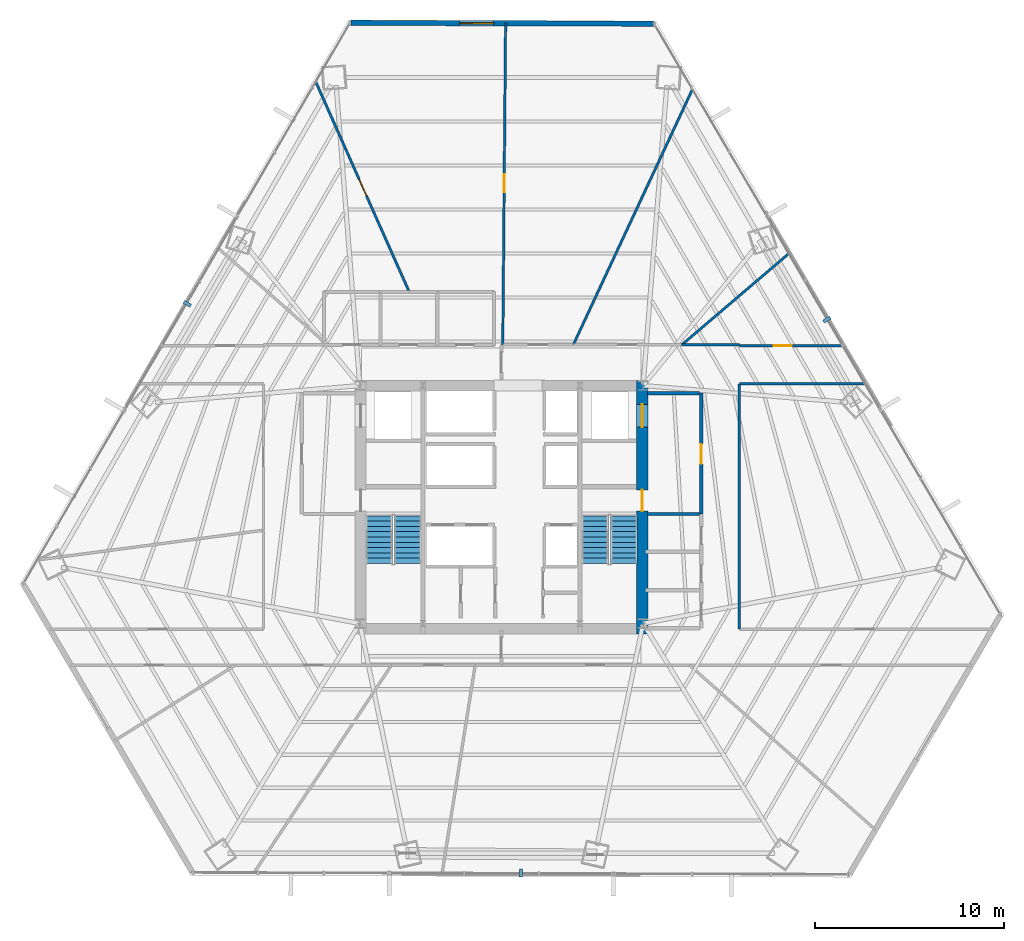
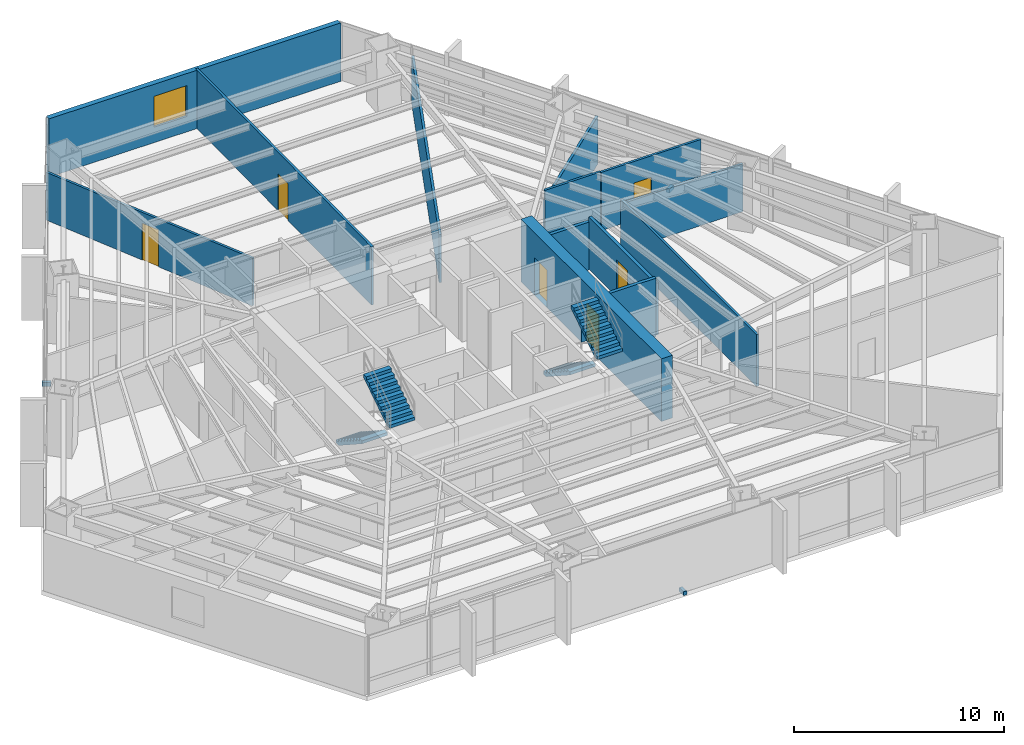
# One storey, part 34 of 37: 13 walls, 6 doors, 4 stair flights, 3 discrete accessories, 1 window, 7 openings, 2 elements without a shape of their own.
"""IFC4 building model written with IfcOpenShell, lengths in metres."""

from ifc_helpers import new_model, si_unit, direction, frame, frame_2d, origin, origin_2d, place, context, subcontext, project, spatial, polyline, rectangle, outline, extrude, source, transform, mapped, material, layer, layer_set, type_object, type_shapes, element, fill, aggregate, save


model = new_model("IFC4")

# Units and contexts
model_context = context("Model", 3, precision=1e-05, world=origin(), true_north=direction((0.0, 1.0)))
body_context = subcontext(model_context, "Body", "Model", "MODEL_VIEW")
ifc_project = project(units=[si_unit("LENGTHUNIT", "METRE"), si_unit("AREAUNIT", "SQUARE_METRE"), si_unit("VOLUMEUNIT", "CUBIC_METRE"), si_unit("PLANEANGLEUNIT", "RADIAN"), si_unit("MASSUNIT", "GRAM", prefix="KILO")], contexts=[model_context])

# Site, building, storey
site_placement = place(None, origin())
site = spatial("IfcSite", under=ifc_project, at=site_placement, CompositionType="ELEMENT")
building_placement = place(site_placement, origin())
building = spatial("IfcBuilding", under=site, at=building_placement, Name="Caelisora Broadcast Tower", CompositionType="ELEMENT")
storey_placement = place(building_placement, frame((0.0, 0.0, 45.85009765625)))
storey = spatial("IfcBuildingStorey", under=building, at=storey_placement, Name="L11", CompositionType="ELEMENT", Elevation=45.85009765625)

# Wall, openings, doors
ifc_material_1 = material(Name="Concrete 65 MPa (AS 3600 S65)", Category="concrete")
ifc_layer_1 = layer(ifc_material_1, 0.60009765625, Name="Concrete 65 MPa (AS 3600 S65)")
ifc_layer_set_1 = layer_set([ifc_layer_1], Name="Concrete 65 MPa (AS 3600 S65)")
wall_type_1 = type_object("IfcWallType", Name="CW1", PredefinedType="SHEAR", material=ifc_layer_set_1)
wall_1_placement = place(storey_placement, frame((45.4599609375, 16.85009765625, 0.0), z_axis=(0.0, 0.0, 1.0), x_axis=(0.0, 1.0, 0.0)))
wall_1 = element("IfcWall", 1, at=wall_1_placement, inside=storey, type_object=wall_type_1, Name="L11 core shear wall CW1", PredefinedType="SHEAR", context=body_context, shape_type="SweptSolid", body=[
    extrude(rectangle(XDim=13.4248046875, YDim=0.60009765625, at=frame_2d((6.71240234375, 0.0))), origin(), (0.0, 0.0, 1.0), 3.64990234375),
])
opening_1_placement = place(wall_1_placement, frame((6.5, 0.0, 0.0)))
opening_1 = element("IfcOpeningElement", 2, at=opening_1_placement, cuts=wall_1, Name="Opening FD04", PredefinedType="OPENING", context=body_context, shape_type="SweptSolid", body=[
    extrude(rectangle(XDim=1.1201171875, YDim=2.14990234375, at=frame_2d((0.56005859375, 1.074951171875))), frame((0.0, 0.31201171875, 0.0), z_axis=(0.0, -1.0, 0.0), x_axis=(1.0, 0.0, 0.0)), (0.0, 0.0, 1.0), 0.6240234375),
])
opening_2_placement = place(wall_1_placement, frame((10.949951171875, 0.0, 0.0)))
opening_2 = element("IfcOpeningElement", 3, at=opening_2_placement, cuts=wall_1, Name="Opening LD04", PredefinedType="OPENING", context=body_context, shape_type="SweptSolid", body=[
    extrude(rectangle(XDim=1.199951171875, YDim=2.199951171875, at=frame_2d((0.60009765625, 1.10009765625))), frame((0.0, 0.31201171875, 0.0), z_axis=(0.0, -1.0, 0.0), x_axis=(1.0, 0.0, 0.0)), (0.0, 0.0, 1.0), 0.6240234375),
])
ifc_material_2 = material(Name="Pressurised Fire-Isolated Stair Door", Category="steel")
door_type_1 = type_object("IfcDoorType", Name="FD04", OperationType="NOTDEFINED", PredefinedType="DOOR", material=ifc_material_2)
door_1_placement = place(opening_1_placement, origin())
door_1 = element("IfcDoor", 4, at=door_1_placement, inside=storey, type_object=door_type_1, Name="L11 door FD04 (L11-DR-ST2)", OperationType="SINGLE_SWING_RIGHT", OverallHeight=2.14990234375, OverallWidth=1.1201171875, PredefinedType="DOOR", context=body_context, shape_type="SweptSolid", body=[
    extrude(rectangle(XDim=1.1201171875, YDim=2.14990234375, at=frame_2d((0.56005859375, 1.074951171875))), frame((0.0, 0.02490234375, 0.0), z_axis=(0.0, -1.0, 0.0), x_axis=(1.0, 0.0, 0.0)), (0.0, 0.0, 1.0), 0.050048828125),
])
fill(opening_1, door_1)
ifc_material_3 = material(Name="Emergency Firefighting Lift Sliding Landing Door", Category="steel")
door_type_2 = type_object("IfcDoorType", Name="LD04", OperationType="NOTDEFINED", PredefinedType="DOOR", material=ifc_material_3)
door_2_placement = place(opening_2_placement, origin())
door_2 = element("IfcDoor", 5, at=door_2_placement, inside=storey, type_object=door_type_2, Name="L11 door LD04 (L11-LD-FFL2)", OperationType="SLIDING_TO_RIGHT", OverallHeight=2.199951171875, OverallWidth=1.199951171875, PredefinedType="DOOR", context=body_context, shape_type="SweptSolid", body=[
    extrude(rectangle(XDim=1.199951171875, YDim=2.199951171875, at=frame_2d((0.60009765625, 1.10009765625))), frame((0.0, 0.02490234375, 0.0), z_axis=(0.0, -1.0, 0.0), x_axis=(1.0, 0.0, 0.0)), (0.0, 0.0, 1.0), 0.050048828125),
])
fill(opening_2, door_2)

# Wall, opening, window
ifc_material_4 = material(Name="Insulated Terracotta Spandrel Wall System", Category="masonry")
ifc_layer_2 = layer(ifc_material_4, 0.280029296875, Name="Insulated Terracotta Spandrel Wall System")
ifc_layer_set_2 = layer_set([ifc_layer_2], Name="Insulated Terracotta Spandrel Wall System")
wall_type_2 = type_object("IfcWallType", Name="EW1", PredefinedType="STANDARD", material=ifc_layer_set_2)
wall_2_placement = place(storey_placement, frame((30.02001953125, 49.206787109375, 0.0), z_axis=(0.0, 0.0, 1.0), x_axis=(0.999995948409, -0.002846606015, 0.0)))
wall_2 = element("IfcWall", 6, at=wall_2_placement, inside=storey, type_object=wall_type_2, Name="L11 exterior envelope wall EW1", PredefinedType="STANDARD", context=body_context, shape_type="SweptSolid", body=[
    extrude(rectangle(XDim=16.0380859375, YDim=0.280029296875, at=frame_2d((8.01904296875, 0.0))), origin(), (0.0, 0.0, 1.0), 3.39990234375),
])
opening_3_placement = place(wall_2_placement, frame((5.77001953125, 0.0, 0.89990234375)))
opening_3 = element("IfcOpeningElement", 7, at=opening_3_placement, cuts=wall_2, Name="Opening W01", PredefinedType="OPENING", context=body_context, shape_type="SweptSolid", body=[
    extrude(rectangle(XDim=1.800048828125, YDim=1.800048828125, at=frame_2d((0.89990234375, 0.89990234375))), frame((0.0, 0.152099609375, 0.0), z_axis=(0.0, -1.0, 0.0), x_axis=(1.0, 0.0, 0.0)), (0.0, 0.0, 1.0), 0.303955078125),
])
ifc_material_5 = material(Name="Double Glazed Terracotta-Framed Vision Window", Category="glass")
window_type = type_object("IfcWindowType", Name="W01", PartitioningType="SINGLE_PANEL", PredefinedType="WINDOW", material=ifc_material_5)
window_placement = place(opening_3_placement, origin())
window = element("IfcWindow", 8, at=window_placement, inside=storey, type_object=window_type, Name="L11 window W01 (L11-WN-CH8)", OverallHeight=1.800048828125, OverallWidth=1.800048828125, PartitioningType="SINGLE_PANEL", PredefinedType="WINDOW", context=body_context, shape_type="SweptSolid", body=[
    extrude(rectangle(XDim=1.800048828125, YDim=1.800048828125, at=frame_2d((0.89990234375, 0.89990234375))), frame((0.0, 0.030029296875, 0.0), z_axis=(0.0, -1.0, 0.0), x_axis=(1.0, 0.0, 0.0)), (0.0, 0.0, 1.0), 0.06005859375),
])
fill(opening_3, window)

# Wall, opening, door
ifc_material_6 = material(Name="Fire-Rated Gypsum Shaft and Compartment Wall", Category="gypsum")
ifc_layer_3 = layer(ifc_material_6, 0.179931640625, Name="Fire-Rated Gypsum Shaft and Compartment Wall")
ifc_layer_set_3 = layer_set([ifc_layer_3], Name="Fire-Rated Gypsum Shaft and Compartment Wall")
wall_type_3 = type_object("IfcWallType", Name="PW2", PredefinedType="PARTITIONING", material=ifc_layer_set_3)
wall_3_placement = place(storey_placement, frame((48.580078125, 23.199951171875, 0.0), z_axis=(0.0, 0.0, 1.0), x_axis=(0.0, 1.0, 0.0)))
wall_3 = element("IfcWall", 9, at=wall_3_placement, inside=storey, type_object=wall_type_3, Name="L11 fire compartment wall PW2", PredefinedType="PARTITIONING", context=body_context, shape_type="SweptSolid", body=[
    extrude(rectangle(XDim=6.400146484375, YDim=0.179931640625, at=frame_2d((3.2001953125, 0.0))), origin(), (0.0, 0.0, 1.0), 3.0263671875),
])
opening_4_placement = place(wall_3_placement, frame((2.64990234375, 0.0, 0.0)))
opening_4 = element("IfcOpeningElement", 10, at=opening_4_placement, cuts=wall_3, Name="Opening FD02", PredefinedType="OPENING", context=body_context, shape_type="SweptSolid", body=[
    extrude(rectangle(XDim=1.050048828125, YDim=2.14990234375, at=frame_2d((0.52490234375, 1.074951171875))), frame((0.0, 0.10205078125, 0.0), z_axis=(0.0, -1.0, 0.0), x_axis=(1.0, 0.0, 0.0)), (0.0, 0.0, 1.0), 0.203857421875),
])
ifc_material_7 = material(Name="Single-Leaf Steel Fire Lobby Door", Category="steel")
door_type_3 = type_object("IfcDoorType", Name="FD02", OperationType="NOTDEFINED", PredefinedType="DOOR", material=ifc_material_7)
door_3_placement = place(opening_4_placement, origin())
door_3 = element("IfcDoor", 11, at=door_3_placement, inside=storey, type_object=door_type_3, Name="L11 door FD02 (L11-DR-P04D1)", OperationType="SINGLE_SWING_RIGHT", OverallHeight=2.14990234375, OverallWidth=1.050048828125, PredefinedType="DOOR", context=body_context, shape_type="SweptSolid", body=[
    extrude(rectangle(XDim=1.050048828125, YDim=2.14990234375, at=frame_2d((0.52490234375, 1.074951171875))), frame((0.0, 0.02490234375, 0.0), z_axis=(0.0, -1.0, 0.0), x_axis=(1.0, 0.0, 0.0)), (0.0, 0.0, 1.0), 0.050048828125),
])
fill(opening_4, door_3)

# Walls
wall_4_placement = place(storey_placement, frame((45.719970703125, 23.199951171875, 0.0), z_axis=(0.0, 0.0, 1.0), x_axis=(1.0, 0.0, 0.0)))
element("IfcWall", 12, at=wall_4_placement, inside=storey, type_object=wall_type_3, Name="L11 fire compartment wall PW2", PredefinedType="PARTITIONING", context=body_context, shape_type="SweptSolid", body=[
    extrude(rectangle(XDim=2.760009765625, YDim=0.179931640625, at=frame_2d((1.3798828125, 0.0))), origin(), (0.0, 0.0, 1.0), 3.39990234375),
])
wall_5_placement = place(storey_placement, frame((45.719970703125, 29.60009765625, 0.0), z_axis=(0.0, 0.0, 1.0), x_axis=(1.0, 0.0, 0.0)))
element("IfcWall", 13, at=wall_5_placement, inside=storey, type_object=wall_type_3, Name="L11 fire compartment wall PW2", PredefinedType="PARTITIONING", context=body_context, shape_type="SweptSolid", body=[
    extrude(rectangle(XDim=2.760009765625, YDim=0.179931640625, at=frame_2d((1.3798828125, 0.0))), origin(), (0.0, 0.0, 1.0), 2.78271484375),
])

# Wall, opening, door
ifc_material_8 = material(Name="Acoustic Steel-Stud Plasterboard Partition", Category="gypsum")
ifc_layer_4 = layer(ifc_material_8, 0.1298828125, Name="Acoustic Steel-Stud Plasterboard Partition")
ifc_layer_set_4 = layer_set([ifc_layer_4], Name="Acoustic Steel-Stud Plasterboard Partition")
wall_type_4 = type_object("IfcWallType", Name="PW3", PredefinedType="PARTITIONING", material=ifc_layer_set_4)
wall_6_placement = place(storey_placement, frame((38.070068359375, 32.155029296875, 0.0), z_axis=(0.0, 0.0, 1.0), x_axis=(0.008757135283, 0.999961655556, 0.0)))
wall_6 = element("IfcWall", 14, at=wall_6_placement, inside=storey, type_object=wall_type_4, Name="L11 internal partition PW3", PredefinedType="PARTITIONING", context=body_context, shape_type="SweptSolid", body=[
    extrude(rectangle(XDim=17.0341796875, YDim=0.1298828125, at=frame_2d((8.51708984375, 0.0))), origin(), (0.0, 0.0, 1.0), 3.39990234375),
])
opening_5_placement = place(wall_6_placement, frame((8.0830078125, 0.0, 0.0)))
opening_5 = element("IfcOpeningElement", 15, at=opening_5_placement, cuts=wall_6, Name="Opening D01", PredefinedType="OPENING", context=body_context, shape_type="SweptSolid", body=[
    extrude(rectangle(XDim=0.9599609375, YDim=2.14990234375, at=frame_2d((0.47998046875, 1.074951171875))), frame((0.0, 0.076904296875, 0.0), z_axis=(0.0, -1.0, 0.0), x_axis=(1.0, 0.0, 0.0)), (0.0, 0.0, 1.0), 0.15380859375),
])
ifc_material_9 = material(Name="Solid-Core Timber Acoustic Office Door", Category="wood")
door_type_4 = type_object("IfcDoorType", Name="D01", OperationType="NOTDEFINED", PredefinedType="DOOR", material=ifc_material_9)
door_4_placement = place(opening_5_placement, origin())
door_4 = element("IfcDoor", 16, at=door_4_placement, inside=storey, type_object=door_type_4, Name="L11 door D01 (L11-DR-P30D1)", OperationType="SINGLE_SWING_LEFT", OverallHeight=2.14990234375, OverallWidth=0.9599609375, PredefinedType="DOOR", context=body_context, shape_type="SweptSolid", body=[
    extrude(rectangle(XDim=0.9599609375, YDim=2.14990234375, at=frame_2d((0.47998046875, 1.074951171875))), frame((0.0, 0.02490234375, 0.0), z_axis=(0.0, -1.0, 0.0), x_axis=(1.0, 0.0, 0.0)), (0.0, 0.0, 1.0), 0.050048828125),
])
fill(opening_5, door_4)

# Walls
wall_7_placement = place(storey_placement, frame((41.802001953125, 32.155029296875, 0.0), z_axis=(0.0, 0.0, 1.0), x_axis=(0.422655689059, 0.906290333451, 0.0)))
element("IfcWall", 17, at=wall_7_placement, inside=storey, type_object=wall_type_4, Name="L11 internal partition PW3", PredefinedType="PARTITIONING", context=body_context, shape_type="SweptSolid", body=[
    extrude(rectangle(XDim=14.94970703125, YDim=0.1298828125, at=frame_2d((7.474853515625, 0.0))), origin(), (0.0, 0.0, 1.0), 2.78271484375),
])
wall_8_placement = place(storey_placement, frame((50.60009765625, 17.10498046875, 0.0), z_axis=(0.0, 0.0, 1.0), x_axis=(0.0, 1.0, 0.0)))
element("IfcWall", 18, at=wall_8_placement, inside=storey, type_object=wall_type_4, Name="L11 internal partition PW3", PredefinedType="PARTITIONING", context=body_context, shape_type="SweptSolid", body=[
    extrude(rectangle(XDim=12.989990234375, YDim=0.1298828125, at=frame_2d((6.4951171875, 0.0))), origin(), (0.0, 0.0, 1.0), 3.0263671875),
])

# Wall, opening, door
wall_9_placement = place(storey_placement, frame((28.16650390625, 46.085693359375, 0.0), z_axis=(0.0, 0.0, 1.0), x_axis=(0.406445251677, -0.913675137775, 0.0)))
wall_9 = element("IfcWall", 19, at=wall_9_placement, inside=storey, type_object=wall_type_4, Name="L11 internal partition PW3", PredefinedType="PARTITIONING", context=body_context, shape_type="SweptSolid", body=[
    extrude(rectangle(XDim=12.18212890625, YDim=0.1298828125, at=frame_2d((6.091064453125, 0.0))), origin(), (0.0, 0.0, 1.0), 2.78271484375),
])
opening_6_placement = place(wall_9_placement, frame((5.66796875, 0.0, 0.0)))
opening_6 = element("IfcOpeningElement", 20, at=opening_6_placement, cuts=wall_9, Name="Opening D01", PredefinedType="OPENING", context=body_context, shape_type="SweptSolid", body=[
    extrude(rectangle(XDim=0.9599609375, YDim=2.14990234375, at=frame_2d((0.47998046875, 1.074951171875))), frame((0.0, 0.076904296875, 0.0), z_axis=(0.0, -1.0, 0.0), x_axis=(1.0, 0.0, 0.0)), (0.0, 0.0, 1.0), 0.15380859375),
])
door_5_placement = place(opening_6_placement, origin())
door_5 = element("IfcDoor", 21, at=door_5_placement, inside=storey, type_object=door_type_4, Name="L11 door D01 (L11-DR-P37D1)", OperationType="SINGLE_SWING_RIGHT", OverallHeight=2.14990234375, OverallWidth=0.9599609375, PredefinedType="DOOR", context=body_context, shape_type="SweptSolid", body=[
    extrude(rectangle(XDim=0.9599609375, YDim=2.14990234375, at=frame_2d((0.47998046875, 1.074951171875))), frame((0.0, 0.02490234375, 0.0), z_axis=(0.0, -1.0, 0.0), x_axis=(1.0, 0.0, 0.0)), (0.0, 0.0, 1.0), 0.050048828125),
])
fill(opening_6, door_5)

# Walls
wall_10_placement = place(storey_placement, frame((47.5439453125, 32.153076171875, 0.0), z_axis=(0.0, 0.0, 1.0), x_axis=(0.76101059148, 0.64873945437, 0.0)))
element("IfcWall", 22, at=wall_10_placement, inside=storey, type_object=wall_type_4, Name="L11 internal partition PW3", PredefinedType="PARTITIONING", context=body_context, shape_type="SweptSolid", body=[
    extrude(rectangle(XDim=7.46533203125, YDim=0.1298828125, at=frame_2d((3.732666015625, 0.0))), origin(), (0.0, 0.0, 1.0), 2.78271484375),
])
wall_11_placement = place(storey_placement, frame((50.60498046875, 30.10009765625, 0.0), z_axis=(0.0, 0.0, 1.0), x_axis=(1.0, 0.0, 0.0)))
element("IfcWall", 23, at=wall_11_placement, inside=storey, type_object=wall_type_4, Name="L11 internal partition PW3", PredefinedType="PARTITIONING", context=body_context, shape_type="SweptSolid", body=[
    extrude(rectangle(XDim=6.662841796875, YDim=0.1298828125, at=frame_2d((3.33154296875, 0.0))), origin(), (0.0, 0.0, 1.0), 2.78271484375),
])

# Wall, opening, door
wall_12_placement = place(storey_placement, frame((50.60498046875, 32.10009765625, 0.0), z_axis=(0.0, 0.0, 1.0), x_axis=(1.0, 0.0, 0.0)))
wall_12 = element("IfcWall", 24, at=wall_12_placement, inside=storey, type_object=wall_type_4, Name="L11 internal partition PW3", PredefinedType="PARTITIONING", context=body_context, shape_type="SweptSolid", body=[
    extrude(rectangle(XDim=5.490234375, YDim=0.1298828125, at=frame_2d((2.7451171875, 0.0))), origin(), (0.0, 0.0, 1.0), 3.39990234375),
])
opening_7_placement = place(wall_12_placement, frame((1.800048828125, 0.0, 0.0)))
opening_7 = element("IfcOpeningElement", 25, at=opening_7_placement, cuts=wall_12, Name="Opening D01", PredefinedType="OPENING", context=body_context, shape_type="SweptSolid", body=[
    extrude(rectangle(XDim=0.9599609375, YDim=2.14990234375, at=frame_2d((0.47998046875, 1.074951171875))), frame((0.0, 0.076904296875, 0.0), z_axis=(0.0, -1.0, 0.0), x_axis=(1.0, 0.0, 0.0)), (0.0, 0.0, 1.0), 0.15380859375),
])
door_6_placement = place(opening_7_placement, origin())
door_6 = element("IfcDoor", 26, at=door_6_placement, inside=storey, type_object=door_type_4, Name="L11 door D01 (L11-DR-P51D1)", OperationType="SINGLE_SWING_LEFT", OverallHeight=2.14990234375, OverallWidth=0.9599609375, PredefinedType="DOOR", context=body_context, shape_type="SweptSolid", body=[
    extrude(rectangle(XDim=0.9599609375, YDim=2.14990234375, at=frame_2d((0.47998046875, 1.074951171875))), frame((0.0, 0.02490234375, 0.0), z_axis=(0.0, -1.0, 0.0), x_axis=(1.0, 0.0, 0.0)), (0.0, 0.0, 1.0), 0.050048828125),
])
fill(opening_7, door_6)

# Wall
wall_13_placement = place(storey_placement, frame((47.544921875, 32.14990234375, 0.0), z_axis=(0.0, 0.0, 1.0), x_axis=(1.0, 0.0, 0.0)))
element("IfcWall", 27, at=wall_13_placement, inside=storey, type_object=wall_type_4, Name="L11 internal partition PW3", PredefinedType="PARTITIONING", context=body_context, shape_type="SweptSolid", body=[
    extrude(rectangle(XDim=3.050048828125, YDim=0.1298828125, at=frame_2d((1.52490234375, 0.0))), origin(), (0.0, 0.0, 1.0), 3.39990234375),
])

# Stair, stair flights
ifc_material_10 = material(Name="Concrete 40 MPa (AS 3600 N40)", Category="concrete")
stair_type_1 = type_object("IfcStairType", Name="ST-1", PredefinedType="HALF_TURN_STAIR", material=ifc_material_10)
stair_1_placement = place(storey_placement, origin())
stair_1 = element("IfcStair", 28, at=stair_1_placement, inside=storey, type_object=stair_type_1, Name="L11 West Fire-Isolated Tower Stair", PredefinedType="HALF_TURN_STAIR")
stair_flight_type = type_object("IfcStairFlightType", Name="STF-2", PredefinedType="STRAIGHT", material=ifc_material_10)
stair_flight_1_placement = place(storey_placement, frame((31.52001953125, 23.10009765625, 0.0), z_axis=(0.0, 0.0, 1.0), x_axis=(0.0, -1.0, 0.0)))
stair_flight_1 = element("IfcStairFlight", 29, at=stair_flight_1_placement, type_object=stair_flight_type, Name="ST-1 flight 1", NumberOfRisers=10, NumberOfTreads=9, PredefinedType="STRAIGHT", RiserHeight=0.1825, TreadLength=0.28, context=body_context, shape_type="SweptSolid", body=[
    extrude(outline(polyline([(0.0, 0.0), (0.0, 0.1826171875), (0.280029296875, 0.1826171875), (0.280029296875, 0.364990234375), (0.56005859375, 0.364990234375), (0.56005859375, 0.547607421875), (0.840087890625, 0.547607421875), (0.840087890625, 0.72998046875), (1.1201171875, 0.72998046875), (1.1201171875, 0.91259765625), (1.39990234375, 0.91259765625), (1.39990234375, 1.094970703125), (1.679931640625, 1.094970703125), (1.679931640625, 1.277587890625), (1.9599609375, 1.277587890625), (1.9599609375, 1.4599609375), (2.239990234375, 1.4599609375), (2.239990234375, 1.642578125), (2.52001953125, 1.642578125), (2.52001953125, 1.824951171875), (2.52001953125, 1.463623046875), (0.2744140625, 0.0), (0.0, 0.0)])), frame((0.0, 0.699951171875, 0.0), z_axis=(0.0, -1.0, 0.0), x_axis=(1.0, 0.0, 0.0)), (0.0, 0.0, 1.0), 1.39990234375),
])
stair_flight_2_placement = place(storey_placement, frame((33.0400390625, 20.580078125, 1.824951171875), z_axis=(0.0, 0.0, 1.0), x_axis=(0.0, 1.0, 0.0)))
stair_flight_2 = element("IfcStairFlight", 30, at=stair_flight_2_placement, type_object=stair_flight_type, Name="ST-1 flight 2", NumberOfRisers=10, NumberOfTreads=9, PredefinedType="STRAIGHT", RiserHeight=0.1825, TreadLength=0.28, context=body_context, shape_type="SweptSolid", body=[
    extrude(outline(polyline([(0.0, 0.0), (0.0, 0.1826171875), (0.280029296875, 0.1826171875), (0.280029296875, 0.364990234375), (0.56005859375, 0.364990234375), (0.56005859375, 0.547607421875), (0.840087890625, 0.547607421875), (0.840087890625, 0.72998046875), (1.1201171875, 0.72998046875), (1.1201171875, 0.91259765625), (1.39990234375, 0.91259765625), (1.39990234375, 1.094970703125), (1.679931640625, 1.094970703125), (1.679931640625, 1.277587890625), (1.9599609375, 1.277587890625), (1.9599609375, 1.4599609375), (2.239990234375, 1.4599609375), (2.239990234375, 1.642578125), (2.52001953125, 1.642578125), (2.52001953125, 1.824951171875), (2.52001953125, 1.463623046875), (0.2744140625, 0.0), (0.0, 0.0)])), frame((0.0, 0.699951171875, 0.0), z_axis=(0.0, -1.0, 0.0), x_axis=(1.0, 0.0, 0.0)), (0.0, 0.0, 1.0), 1.39990234375),
])
aggregate(stair_1, [stair_flight_1, stair_flight_2])

stair_type_2 = type_object("IfcStairType", Name="ST-2", PredefinedType="HALF_TURN_STAIR", material=ifc_material_10)
stair_2_placement = place(storey_placement, origin())
stair_2 = element("IfcStair", 31, at=stair_2_placement, inside=storey, type_object=stair_type_2, Name="L11 East Fire-Isolated Tower Stair", PredefinedType="HALF_TURN_STAIR")
stair_flight_3_placement = place(storey_placement, frame((42.9599609375, 23.10009765625, 0.0), z_axis=(0.0, 0.0, 1.0), x_axis=(0.0, -1.0, 0.0)))
stair_flight_3 = element("IfcStairFlight", 32, at=stair_flight_3_placement, type_object=stair_flight_type, Name="ST-2 flight 1", NumberOfRisers=10, NumberOfTreads=9, PredefinedType="STRAIGHT", RiserHeight=0.1825, TreadLength=0.28, context=body_context, shape_type="SweptSolid", body=[
    extrude(outline(polyline([(0.0, 0.0), (0.0, 0.1826171875), (0.280029296875, 0.1826171875), (0.280029296875, 0.364990234375), (0.56005859375, 0.364990234375), (0.56005859375, 0.547607421875), (0.840087890625, 0.547607421875), (0.840087890625, 0.72998046875), (1.1201171875, 0.72998046875), (1.1201171875, 0.91259765625), (1.39990234375, 0.91259765625), (1.39990234375, 1.094970703125), (1.679931640625, 1.094970703125), (1.679931640625, 1.277587890625), (1.9599609375, 1.277587890625), (1.9599609375, 1.4599609375), (2.239990234375, 1.4599609375), (2.239990234375, 1.642578125), (2.52001953125, 1.642578125), (2.52001953125, 1.824951171875), (2.52001953125, 1.463623046875), (0.2744140625, 0.0), (0.0, 0.0)])), frame((0.0, 0.699951171875, 0.0), z_axis=(0.0, -1.0, 0.0), x_axis=(1.0, 0.0, 0.0)), (0.0, 0.0, 1.0), 1.39990234375),
])
stair_flight_4_placement = place(storey_placement, frame((44.47998046875, 20.580078125, 1.824951171875), z_axis=(0.0, 0.0, 1.0), x_axis=(0.0, 1.0, 0.0)))
stair_flight_4 = element("IfcStairFlight", 33, at=stair_flight_4_placement, type_object=stair_flight_type, Name="ST-2 flight 2", NumberOfRisers=10, NumberOfTreads=9, PredefinedType="STRAIGHT", RiserHeight=0.1825, TreadLength=0.28, context=body_context, shape_type="SweptSolid", body=[
    extrude(outline(polyline([(0.0, 0.0), (0.0, 0.1826171875), (0.280029296875, 0.1826171875), (0.280029296875, 0.364990234375), (0.56005859375, 0.364990234375), (0.56005859375, 0.547607421875), (0.840087890625, 0.547607421875), (0.840087890625, 0.72998046875), (1.1201171875, 0.72998046875), (1.1201171875, 0.91259765625), (1.39990234375, 0.91259765625), (1.39990234375, 1.094970703125), (1.679931640625, 1.094970703125), (1.679931640625, 1.277587890625), (1.9599609375, 1.277587890625), (1.9599609375, 1.4599609375), (2.239990234375, 1.4599609375), (2.239990234375, 1.642578125), (2.52001953125, 1.642578125), (2.52001953125, 1.824951171875), (2.52001953125, 1.463623046875), (0.2744140625, 0.0), (0.0, 0.0)])), frame((0.0, 0.699951171875, 0.0), z_axis=(0.0, -1.0, 0.0), x_axis=(1.0, 0.0, 0.0)), (0.0, 0.0, 1.0), 1.39990234375),
])
aggregate(stair_2, [stair_flight_3, stair_flight_4])

# Discrete accessories
ifc_material_11 = material(Name="Steel Grade 350 (AS/NZS 3679.1)", Category="steel")
discrete_accessory_type = type_object("IfcDiscreteAccessoryType", Name="BRK-1", PredefinedType="BRACKET", material=ifc_material_11)
shared_shape = source(origin(), body_context, "Body", "SweptSolid", [
    extrude(rectangle(XDim=0.179931640625, YDim=0.419921875, at=origin_2d()), origin(), (0.0, 0.0, 1.0), 0.219970703125),
])
type_shapes(discrete_accessory_type, [shared_shape])
for number, where, z_axis, x_axis, name in (
    (34, (21.360595703125, 34.331787109375, -0.16015625), (0.0, 0.0, 1.0), (-0.503321604797, -0.864099162217, 0.0), "L11 solar screen outrigger bracket #1"),
    (35, (39.032470703125, 4.1904296875, -0.16015625), (0.0, 0.0, 1.0), (0.9999961009, -0.002792523174, 0.0), "L11 solar screen outrigger bracket #2"),
    (36, (55.23681640625, 33.49560546875, -0.16015625), (0.0, 0.0, 1.0), (-0.505732659231, 0.862690255763, 0.0), "L11 solar screen outrigger bracket #3"),
):
    element("IfcDiscreteAccessory", number, at=place(storey_placement, frame(where, z_axis=z_axis, x_axis=x_axis)), inside=storey, type_object=discrete_accessory_type, Name=name, PredefinedType="BRACKET", context=body_context, shape_type="MappedRepresentation", body=[
        mapped(shared_shape, transform((0.0, 0.0, 0.0), scale=1.0)),
    ])

save(model, "model.ifc")
